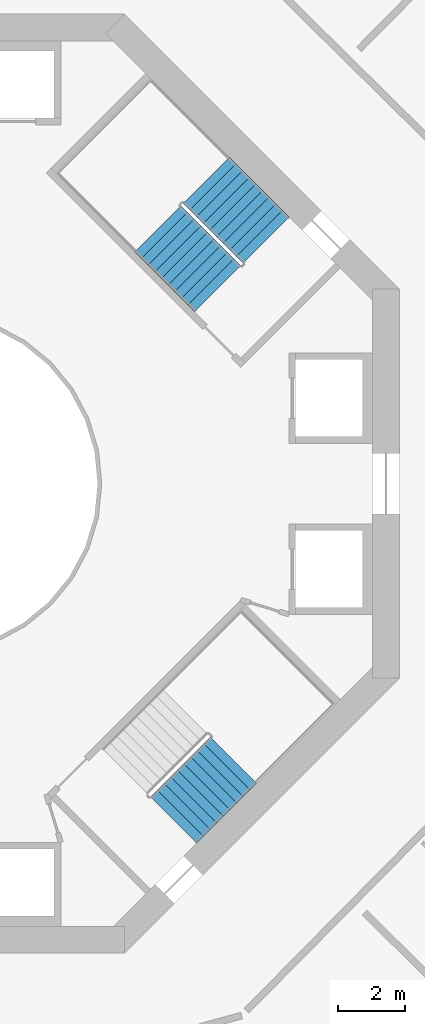
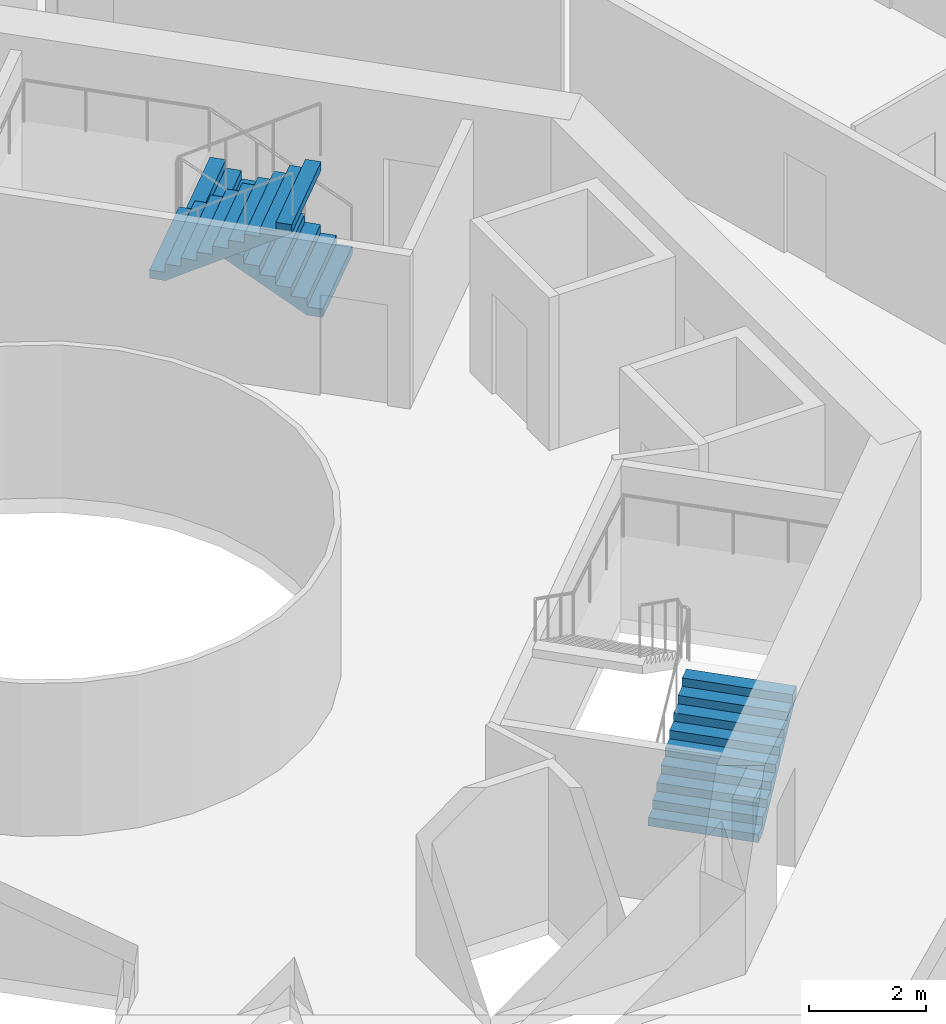
# One storey, part 25 of 26: 3 stair flights, 2 elements without a shape of their own.
"""IFC4 building model written with IfcOpenShell, lengths in metres."""

from ifc_helpers import new_model, si_unit, direction, frame, origin, place, context, subcontext, project, spatial, triangles, material, type_object, element, aggregate, save


model = new_model("IFC4")

# Units and contexts
model_context = context("Model", 3, precision=1e-05, world=origin(), true_north=direction((0.0, 1.0)))
body_context = subcontext(model_context, "Body", "Model", "MODEL_VIEW")
ifc_project = project(units=[si_unit("LENGTHUNIT", "METRE"), si_unit("AREAUNIT", "SQUARE_METRE"), si_unit("VOLUMEUNIT", "CUBIC_METRE"), si_unit("PLANEANGLEUNIT", "RADIAN"), si_unit("MASSUNIT", "GRAM", prefix="KILO")], contexts=[model_context])

# Site, building, storey
site_placement = place(None, origin())
site = spatial("IfcSite", under=ifc_project, at=site_placement, CompositionType="ELEMENT")
building_placement = place(site_placement, origin())
building = spatial("IfcBuilding", under=site, at=building_placement, Name="Verdalira Terraces Hotel", CompositionType="ELEMENT")
storey_placement = place(building_placement, frame((0.0, 0.0, 96.5)))
storey = spatial("IfcBuildingStorey", under=building, at=storey_placement, Name="L22", CompositionType="ELEMENT", Elevation=96.5)

# Stair, stair flights
ifc_material_1 = material(Name="Concrete C40", Category="concrete")
stair_type = type_object("IfcStairType", Name="Core stair 20 risers 1950 mm wide", PredefinedType="HALF_TURN_STAIR", material=ifc_material_1)
stair_1_placement = place(storey_placement, origin())
stair_1 = element("IfcStair", 1, at=stair_1_placement, inside=storey, type_object=stair_type, Name="L22 Exit stair ST1", PredefinedType="HALF_TURN_STAIR")
ifc_material_2 = material(Name="Concrete C40", Category="concrete")
stair_flight_type = type_object("IfcStairFlightType", Name="Core stair flight 20 risers 1950 mm wide", PredefinedType="STRAIGHT", material=ifc_material_2)
stair_flight_1_placement = place(storey_placement, frame((10.023193, 7.265625, 0.0), z_axis=(0.0, 0.0, 1.0), x_axis=(-0.707106781, 0.707106781, 0.0)))
stair_flight_1 = element("IfcStairFlight", 2, at=stair_flight_1_placement, type_object=stair_flight_type, Name="ST1 flight 1", NumberOfRisers=10, NumberOfTreads=9, PredefinedType="STRAIGHT", RiserHeight=0.175, TreadLength=0.28, context=body_context, shape_type="Tessellation", body=[
    triangles([(0.0, 0.974976, 0.0), (0.282715, 0.974976, 0.0), (2.52002, 0.974976, 1.398193), (0.0, -0.974976, 0.0), (0.282715, -0.974976, 0.0), (2.52002, -0.974976, 1.398193), (2.52002, 0.974976, 1.574951), (2.23999, 0.974976, 1.574951), (2.52002, -0.974976, 1.574951), (2.23999, -0.974976, 1.574951), (2.23999, 0.974976, 1.399902), (2.23999, -0.974976, 1.399902), (1.959961, 0.974976, 1.399902), (1.959961, -0.974976, 1.399902), (1.959961, 0.974976, 1.225098), (1.959961, -0.974976, 1.225098), (1.679932, 0.974976, 1.225098), (1.679932, 0.974976, 1.050049), (1.679932, -0.974976, 1.225098), (1.679932, -0.974976, 1.050049), (1.399902, 0.974976, 1.050049), (1.399902, 0.974976, 0.875), (1.399902, -0.974976, 1.050049), (1.399902, -0.974976, 0.875), (1.120117, 0.974976, 0.875), (1.120117, 0.974976, 0.699951), (1.120117, -0.974976, 0.875), (1.120117, -0.974976, 0.699951), (0.840088, 0.974976, 0.699951), (0.840088, 0.974976, 0.524902), (0.840088, -0.974976, 0.699951), (0.840088, -0.974976, 0.524902), (0.560059, 0.974976, 0.524902), (0.560059, 0.974976, 0.350098), (0.560059, -0.974976, 0.524902), (0.560059, -0.974976, 0.350098), (0.280029, 0.974976, 0.350098), (0.280029, 0.974976, 0.175049), (0.280029, -0.974976, 0.350098), (0.280029, -0.974976, 0.175049), (0.0, 0.974976, 0.175049), (0.0, -0.974976, 0.175049), (0.0, -0.91404, 0.0), (0.0, -0.91404, 0.175049), (0.0, -0.853104, 0.0), (0.0, -0.853104, 0.175049), (0.0, -0.792168, 0.0), (0.0, -0.792168, 0.175049), (0.0, -0.731232, 0.0), (0.0, -0.731232, 0.175049), (0.0, -0.670296, 0.0), (0.0, -0.670296, 0.175049), (0.0, -0.60936, 0.0), (0.0, -0.60936, 0.175049), (0.0, -0.548424, 0.0), (0.0, -0.548424, 0.175049), (0.0, -0.487488, 0.0), (0.0, -0.487488, 0.175049), (0.0, -0.426552, 0.0), (0.0, -0.426552, 0.175049), (0.0, -0.365616, 0.0), (0.0, -0.365616, 0.175049), (0.0, -0.30468, 0.0), (0.0, -0.30468, 0.175049), (0.0, -0.243744, 0.0), (0.0, -0.243744, 0.175049), (0.0, -0.182808, 0.0), (0.0, -0.182808, 0.175049), (0.0, -0.121872, 0.0), (0.0, -0.121872, 0.175049), (0.0, -0.060936, 0.0), (0.0, -0.060936, 0.175049), (0.0, 0.0, 0.0), (0.0, 0.0, 0.175049), (0.0, 0.060936, 0.0), (0.0, 0.060936, 0.175049), (0.0, 0.121872, 0.0), (0.0, 0.121872, 0.175049), (0.0, 0.182808, 0.0), (0.0, 0.182808, 0.175049), (0.0, 0.243744, 0.0), (0.0, 0.243744, 0.175049), (0.0, 0.30468, 0.0), (0.0, 0.30468, 0.175049), (0.0, 0.365616, 0.0), (0.0, 0.365616, 0.175049), (0.0, 0.426552, 0.0), (0.0, 0.426552, 0.175049), (0.0, 0.487488, 0.0), (0.0, 0.487488, 0.175049), (0.0, 0.548424, 0.0), (0.0, 0.548424, 0.175049), (0.0, 0.60936, 0.0), (0.0, 0.60936, 0.175049), (0.0, 0.670296, 0.0), (0.0, 0.670296, 0.175049), (0.0, 0.731232, 0.0), (0.0, 0.731232, 0.175049), (0.0, 0.792168, 0.0), (0.0, 0.792168, 0.175049), (0.0, 0.853104, 0.0), (0.0, 0.853104, 0.175049), (0.0, 0.91404, 0.0), (0.0, 0.91404, 0.175049), (2.52002, -0.91404, 1.574951), (2.52002, -0.853104, 1.574951), (2.52002, -0.792168, 1.574951), (2.52002, -0.731232, 1.574951), (2.52002, -0.670296, 1.574951), (2.52002, -0.60936, 1.574951), (2.52002, -0.548424, 1.574951), (2.52002, -0.487488, 1.574951), (2.52002, -0.426552, 1.574951), (2.52002, -0.365616, 1.574951), (2.52002, -0.30468, 1.574951), (2.52002, -0.243744, 1.574951), (2.52002, -0.182808, 1.574951), (2.52002, -0.121872, 1.574951), (2.52002, -0.060936, 1.574951), (2.52002, 0.0, 1.574951), (2.52002, 0.060936, 1.574951), (2.52002, 0.121872, 1.574951), (2.52002, 0.182808, 1.574951), (2.52002, 0.243744, 1.574951), (2.52002, 0.30468, 1.574951), (2.52002, 0.365616, 1.574951), (2.52002, 0.426552, 1.574951), (2.52002, 0.487488, 1.574951), (2.52002, 0.548424, 1.574951), (2.52002, 0.60936, 1.574951), (2.52002, 0.670296, 1.574951), (2.52002, 0.731232, 1.574951), (2.52002, 0.792168, 1.574951), (2.52002, 0.853104, 1.574951), (2.52002, 0.91404, 1.574951), (2.52002, -0.91404, 1.398193), (2.52002, -0.853104, 1.398193), (2.52002, -0.792168, 1.398193), (2.52002, -0.731232, 1.398193), (2.52002, -0.670296, 1.398193), (2.52002, -0.60936, 1.398193), (2.52002, -0.548424, 1.398193), (2.52002, -0.487488, 1.398193), (2.52002, -0.426552, 1.398193), (2.52002, -0.365616, 1.398193), (2.52002, -0.30468, 1.398193), (2.52002, -0.243744, 1.398193), (2.52002, -0.182808, 1.398193), (2.52002, -0.121872, 1.398193), (2.52002, -0.060936, 1.398193), (2.52002, 0.0, 1.398193), (2.52002, 0.060936, 1.398193), (2.52002, 0.121872, 1.398193), (2.52002, 0.182808, 1.398193), (2.52002, 0.243744, 1.398193), (2.52002, 0.30468, 1.398193), (2.52002, 0.365616, 1.398193), (2.52002, 0.426552, 1.398193), (2.52002, 0.487488, 1.398193), (2.52002, 0.548424, 1.398193), (2.52002, 0.60936, 1.398193), (2.52002, 0.670296, 1.398193), (2.52002, 0.731232, 1.398193), (2.52002, 0.792168, 1.398193), (2.52002, 0.853104, 1.398193), (2.52002, 0.91404, 1.398193)], [[1, 3, 2], [4, 5, 6], [3, 8, 7], [6, 9, 10], [3, 11, 8], [6, 10, 12], [3, 13, 11], [6, 12, 14], [3, 15, 13], [6, 14, 16], [15, 18, 17], [16, 19, 20], [3, 18, 15], [6, 16, 20], [18, 22, 21], [20, 23, 24], [3, 22, 18], [6, 20, 24], [22, 26, 25], [24, 27, 28], [3, 26, 22], [6, 24, 28], [26, 30, 29], [28, 31, 32], [3, 30, 26], [6, 28, 32], [1, 30, 3], [4, 6, 32], [30, 34, 33], [32, 35, 36], [34, 38, 37], [36, 39, 40], [30, 38, 34], [32, 36, 40], [1, 38, 30], [4, 32, 40], [38, 1, 41], [40, 42, 4], [4, 44, 43], [4, 42, 44], [43, 46, 45], [43, 44, 46], [45, 48, 47], [45, 46, 48], [47, 50, 49], [47, 48, 50], [49, 52, 51], [49, 50, 52], [51, 54, 53], [51, 52, 54], [53, 56, 55], [53, 54, 56], [55, 58, 57], [55, 56, 58], [57, 60, 59], [57, 58, 60], [59, 62, 61], [59, 60, 62], [61, 64, 63], [61, 62, 64], [63, 66, 65], [63, 64, 66], [65, 68, 67], [65, 66, 68], [67, 70, 69], [67, 68, 70], [69, 72, 71], [69, 70, 72], [71, 74, 73], [71, 72, 74], [73, 76, 75], [73, 74, 76], [75, 78, 77], [75, 76, 78], [77, 80, 79], [77, 78, 80], [79, 82, 81], [79, 80, 82], [81, 84, 83], [81, 82, 84], [83, 86, 85], [83, 84, 86], [85, 88, 87], [85, 86, 88], [87, 90, 89], [87, 88, 90], [89, 92, 91], [89, 90, 92], [91, 94, 93], [91, 92, 94], [93, 96, 95], [93, 94, 96], [95, 98, 97], [95, 96, 98], [97, 100, 99], [97, 98, 100], [99, 102, 101], [99, 100, 102], [101, 104, 103], [101, 102, 104], [103, 41, 1], [103, 104, 41], [42, 40, 44], [44, 40, 46], [46, 40, 48], [48, 40, 50], [50, 40, 52], [52, 40, 54], [54, 40, 56], [56, 40, 58], [58, 40, 60], [60, 40, 62], [62, 40, 64], [64, 40, 66], [66, 40, 68], [68, 40, 70], [70, 40, 72], [72, 40, 74], [74, 40, 76], [76, 40, 78], [78, 40, 80], [80, 40, 82], [82, 40, 84], [84, 40, 86], [86, 40, 88], [88, 40, 90], [90, 40, 92], [92, 40, 94], [94, 40, 96], [96, 40, 98], [98, 40, 100], [100, 40, 102], [102, 40, 104], [104, 40, 41], [41, 40, 38], [40, 37, 38], [40, 39, 37], [39, 34, 37], [39, 36, 34], [36, 33, 34], [36, 35, 33], [35, 30, 33], [35, 32, 30], [32, 29, 30], [32, 31, 29], [31, 26, 29], [31, 28, 26], [28, 25, 26], [28, 27, 25], [27, 22, 25], [27, 24, 22], [24, 21, 22], [24, 23, 21], [23, 18, 21], [23, 20, 18], [20, 17, 18], [20, 19, 17], [19, 15, 17], [19, 16, 15], [16, 13, 15], [16, 14, 13], [14, 11, 13], [14, 12, 11], [12, 8, 11], [12, 10, 8], [9, 105, 10], [105, 106, 10], [106, 107, 10], [107, 108, 10], [108, 109, 10], [109, 110, 10], [110, 111, 10], [111, 112, 10], [112, 113, 10], [113, 114, 10], [114, 115, 10], [115, 116, 10], [116, 117, 10], [117, 118, 10], [118, 119, 10], [119, 120, 10], [120, 121, 10], [121, 122, 10], [122, 123, 10], [123, 124, 10], [124, 125, 10], [125, 126, 10], [126, 127, 10], [127, 128, 10], [128, 129, 10], [129, 130, 10], [130, 131, 10], [131, 132, 10], [132, 133, 10], [133, 134, 10], [134, 135, 10], [135, 7, 10], [7, 8, 10], [9, 136, 105], [9, 6, 136], [105, 137, 106], [105, 136, 137], [106, 138, 107], [106, 137, 138], [107, 139, 108], [107, 138, 139], [108, 140, 109], [108, 139, 140], [109, 141, 110], [109, 140, 141], [110, 142, 111], [110, 141, 142], [111, 143, 112], [111, 142, 143], [112, 144, 113], [112, 143, 144], [113, 145, 114], [113, 144, 145], [114, 146, 115], [114, 145, 146], [115, 147, 116], [115, 146, 147], [116, 148, 117], [116, 147, 148], [117, 149, 118], [117, 148, 149], [118, 150, 119], [118, 149, 150], [119, 151, 120], [119, 150, 151], [120, 152, 121], [120, 151, 152], [121, 153, 122], [121, 152, 153], [122, 154, 123], [122, 153, 154], [123, 155, 124], [123, 154, 155], [124, 156, 125], [124, 155, 156], [125, 157, 126], [125, 156, 157], [126, 158, 127], [126, 157, 158], [127, 159, 128], [127, 158, 159], [128, 160, 129], [128, 159, 160], [129, 161, 130], [129, 160, 161], [130, 162, 131], [130, 161, 162], [131, 163, 132], [131, 162, 163], [132, 164, 133], [132, 163, 164], [133, 165, 134], [133, 164, 165], [134, 166, 135], [134, 165, 166], [135, 3, 7], [135, 166, 3], [6, 5, 136], [136, 5, 137], [137, 5, 138], [138, 5, 139], [139, 5, 140], [140, 5, 141], [141, 5, 142], [142, 5, 143], [143, 5, 144], [144, 5, 145], [145, 5, 146], [146, 5, 147], [147, 5, 148], [148, 5, 149], [149, 5, 150], [150, 5, 151], [151, 5, 152], [152, 5, 153], [153, 5, 154], [154, 5, 155], [155, 5, 156], [156, 5, 157], [157, 5, 158], [158, 5, 159], [159, 5, 160], [160, 5, 161], [161, 5, 162], [162, 5, 163], [163, 5, 164], [164, 5, 165], [165, 5, 166], [166, 5, 3], [3, 5, 2], [4, 43, 5], [43, 45, 5], [45, 47, 5], [47, 49, 5], [49, 51, 5], [51, 53, 5], [53, 55, 5], [55, 57, 5], [57, 59, 5], [59, 61, 5], [61, 63, 5], [63, 65, 5], [65, 67, 5], [67, 69, 5], [69, 71, 5], [71, 73, 5], [73, 75, 5], [75, 77, 5], [77, 79, 5], [79, 81, 5], [81, 83, 5], [83, 85, 5], [85, 87, 5], [87, 89, 5], [89, 91, 5], [91, 93, 5], [93, 95, 5], [95, 97, 5], [97, 99, 5], [99, 101, 5], [101, 103, 5], [103, 1, 5], [1, 2, 5]], closed=True),
])
stair_flight_2_placement = place(storey_placement, frame((6.791748, 7.5979, 1.75), z_axis=(0.0, 0.0, 1.0), x_axis=(0.707106781, -0.707106781, 0.0)))
stair_flight_2 = element("IfcStairFlight", 3, at=stair_flight_2_placement, type_object=stair_flight_type, Name="ST1 flight 2", NumberOfRisers=10, NumberOfTreads=9, PredefinedType="STRAIGHT", RiserHeight=0.175, TreadLength=0.28, context=body_context, shape_type="Tessellation", body=[
    triangles([(0.0, 0.974976, 0.0), (0.282715, 0.974976, 0.0), (2.52002, 0.974976, 1.398193), (0.0, -0.974976, 0.0), (0.282715, -0.974976, 0.0), (2.52002, -0.974976, 1.398193), (2.52002, 0.974976, 1.574951), (2.23999, 0.974976, 1.574951), (2.52002, -0.974976, 1.574951), (2.23999, -0.974976, 1.574951), (2.23999, 0.974976, 1.399902), (2.23999, -0.974976, 1.399902), (1.959961, 0.974976, 1.399902), (1.959961, -0.974976, 1.399902), (1.959961, 0.974976, 1.225098), (1.959961, -0.974976, 1.225098), (1.679932, 0.974976, 1.225098), (1.679932, 0.974976, 1.050049), (1.679932, -0.974976, 1.225098), (1.679932, -0.974976, 1.050049), (1.399902, 0.974976, 1.050049), (1.399902, 0.974976, 0.875), (1.399902, -0.974976, 1.050049), (1.399902, -0.974976, 0.875), (1.120117, 0.974976, 0.875), (1.120117, 0.974976, 0.699951), (1.120117, -0.974976, 0.875), (1.120117, -0.974976, 0.699951), (0.840088, 0.974976, 0.699951), (0.840088, 0.974976, 0.524902), (0.840088, -0.974976, 0.699951), (0.840088, -0.974976, 0.524902), (0.560059, 0.974976, 0.524902), (0.560059, 0.974976, 0.350098), (0.560059, -0.974976, 0.524902), (0.560059, -0.974976, 0.350098), (0.280029, 0.974976, 0.350098), (0.280029, 0.974976, 0.175049), (0.280029, -0.974976, 0.350098), (0.280029, -0.974976, 0.175049), (0.0, 0.974976, 0.175049), (0.0, -0.974976, 0.175049), (0.0, -0.91404, 0.0), (0.0, -0.91404, 0.175049), (0.0, -0.853104, 0.0), (0.0, -0.853104, 0.175049), (0.0, -0.792168, 0.0), (0.0, -0.792168, 0.175049), (0.0, -0.731232, 0.0), (0.0, -0.731232, 0.175049), (0.0, -0.670296, 0.0), (0.0, -0.670296, 0.175049), (0.0, -0.60936, 0.0), (0.0, -0.60936, 0.175049), (0.0, -0.548424, 0.0), (0.0, -0.548424, 0.175049), (0.0, -0.487488, 0.0), (0.0, -0.487488, 0.175049), (0.0, -0.426552, 0.0), (0.0, -0.426552, 0.175049), (0.0, -0.365616, 0.0), (0.0, -0.365616, 0.175049), (0.0, -0.30468, 0.0), (0.0, -0.30468, 0.175049), (0.0, -0.243744, 0.0), (0.0, -0.243744, 0.175049), (0.0, -0.182808, 0.0), (0.0, -0.182808, 0.175049), (0.0, -0.121872, 0.0), (0.0, -0.121872, 0.175049), (0.0, -0.060936, 0.0), (0.0, -0.060936, 0.175049), (0.0, 0.0, 0.0), (0.0, 0.0, 0.175049), (0.0, 0.060936, 0.0), (0.0, 0.060936, 0.175049), (0.0, 0.121872, 0.0), (0.0, 0.121872, 0.175049), (0.0, 0.182808, 0.0), (0.0, 0.182808, 0.175049), (0.0, 0.243744, 0.0), (0.0, 0.243744, 0.175049), (0.0, 0.30468, 0.0), (0.0, 0.30468, 0.175049), (0.0, 0.365616, 0.0), (0.0, 0.365616, 0.175049), (0.0, 0.426552, 0.0), (0.0, 0.426552, 0.175049), (0.0, 0.487488, 0.0), (0.0, 0.487488, 0.175049), (0.0, 0.548424, 0.0), (0.0, 0.548424, 0.175049), (0.0, 0.60936, 0.0), (0.0, 0.60936, 0.175049), (0.0, 0.670296, 0.0), (0.0, 0.670296, 0.175049), (0.0, 0.731232, 0.0), (0.0, 0.731232, 0.175049), (0.0, 0.792168, 0.0), (0.0, 0.792168, 0.175049), (0.0, 0.853104, 0.0), (0.0, 0.853104, 0.175049), (0.0, 0.91404, 0.0), (0.0, 0.91404, 0.175049), (2.52002, -0.91404, 1.574951), (2.52002, -0.853104, 1.574951), (2.52002, -0.792168, 1.574951), (2.52002, -0.731232, 1.574951), (2.52002, -0.670296, 1.574951), (2.52002, -0.60936, 1.574951), (2.52002, -0.548424, 1.574951), (2.52002, -0.487488, 1.574951), (2.52002, -0.426552, 1.574951), (2.52002, -0.365616, 1.574951), (2.52002, -0.30468, 1.574951), (2.52002, -0.243744, 1.574951), (2.52002, -0.182808, 1.574951), (2.52002, -0.121872, 1.574951), (2.52002, -0.060936, 1.574951), (2.52002, 0.0, 1.574951), (2.52002, 0.060936, 1.574951), (2.52002, 0.121872, 1.574951), (2.52002, 0.182808, 1.574951), (2.52002, 0.243744, 1.574951), (2.52002, 0.30468, 1.574951), (2.52002, 0.365616, 1.574951), (2.52002, 0.426552, 1.574951), (2.52002, 0.487488, 1.574951), (2.52002, 0.548424, 1.574951), (2.52002, 0.60936, 1.574951), (2.52002, 0.670296, 1.574951), (2.52002, 0.731232, 1.574951), (2.52002, 0.792168, 1.574951), (2.52002, 0.853104, 1.574951), (2.52002, 0.91404, 1.574951), (2.52002, -0.91404, 1.398193), (2.52002, -0.853104, 1.398193), (2.52002, -0.792168, 1.398193), (2.52002, -0.731232, 1.398193), (2.52002, -0.670296, 1.398193), (2.52002, -0.60936, 1.398193), (2.52002, -0.548424, 1.398193), (2.52002, -0.487488, 1.398193), (2.52002, -0.426552, 1.398193), (2.52002, -0.365616, 1.398193), (2.52002, -0.30468, 1.398193), (2.52002, -0.243744, 1.398193), (2.52002, -0.182808, 1.398193), (2.52002, -0.121872, 1.398193), (2.52002, -0.060936, 1.398193), (2.52002, 0.0, 1.398193), (2.52002, 0.060936, 1.398193), (2.52002, 0.121872, 1.398193), (2.52002, 0.182808, 1.398193), (2.52002, 0.243744, 1.398193), (2.52002, 0.30468, 1.398193), (2.52002, 0.365616, 1.398193), (2.52002, 0.426552, 1.398193), (2.52002, 0.487488, 1.398193), (2.52002, 0.548424, 1.398193), (2.52002, 0.60936, 1.398193), (2.52002, 0.670296, 1.398193), (2.52002, 0.731232, 1.398193), (2.52002, 0.792168, 1.398193), (2.52002, 0.853104, 1.398193), (2.52002, 0.91404, 1.398193)], [[1, 3, 2], [4, 5, 6], [3, 8, 7], [6, 9, 10], [3, 11, 8], [6, 10, 12], [3, 13, 11], [6, 12, 14], [3, 15, 13], [6, 14, 16], [15, 18, 17], [16, 19, 20], [3, 18, 15], [6, 16, 20], [18, 22, 21], [20, 23, 24], [3, 22, 18], [6, 20, 24], [22, 26, 25], [24, 27, 28], [3, 26, 22], [6, 24, 28], [26, 30, 29], [28, 31, 32], [3, 30, 26], [6, 28, 32], [1, 30, 3], [4, 6, 32], [30, 34, 33], [32, 35, 36], [34, 38, 37], [36, 39, 40], [30, 38, 34], [32, 36, 40], [1, 38, 30], [4, 32, 40], [38, 1, 41], [40, 42, 4], [4, 44, 43], [4, 42, 44], [43, 46, 45], [43, 44, 46], [45, 48, 47], [45, 46, 48], [47, 50, 49], [47, 48, 50], [49, 52, 51], [49, 50, 52], [51, 54, 53], [51, 52, 54], [53, 56, 55], [53, 54, 56], [55, 58, 57], [55, 56, 58], [57, 60, 59], [57, 58, 60], [59, 62, 61], [59, 60, 62], [61, 64, 63], [61, 62, 64], [63, 66, 65], [63, 64, 66], [65, 68, 67], [65, 66, 68], [67, 70, 69], [67, 68, 70], [69, 72, 71], [69, 70, 72], [71, 74, 73], [71, 72, 74], [73, 76, 75], [73, 74, 76], [75, 78, 77], [75, 76, 78], [77, 80, 79], [77, 78, 80], [79, 82, 81], [79, 80, 82], [81, 84, 83], [81, 82, 84], [83, 86, 85], [83, 84, 86], [85, 88, 87], [85, 86, 88], [87, 90, 89], [87, 88, 90], [89, 92, 91], [89, 90, 92], [91, 94, 93], [91, 92, 94], [93, 96, 95], [93, 94, 96], [95, 98, 97], [95, 96, 98], [97, 100, 99], [97, 98, 100], [99, 102, 101], [99, 100, 102], [101, 104, 103], [101, 102, 104], [103, 41, 1], [103, 104, 41], [42, 40, 44], [44, 40, 46], [46, 40, 48], [48, 40, 50], [50, 40, 52], [52, 40, 54], [54, 40, 56], [56, 40, 58], [58, 40, 60], [60, 40, 62], [62, 40, 64], [64, 40, 66], [66, 40, 68], [68, 40, 70], [70, 40, 72], [72, 40, 74], [74, 40, 76], [76, 40, 78], [78, 40, 80], [80, 40, 82], [82, 40, 84], [84, 40, 86], [86, 40, 88], [88, 40, 90], [90, 40, 92], [92, 40, 94], [94, 40, 96], [96, 40, 98], [98, 40, 100], [100, 40, 102], [102, 40, 104], [104, 40, 41], [41, 40, 38], [40, 37, 38], [40, 39, 37], [39, 34, 37], [39, 36, 34], [36, 33, 34], [36, 35, 33], [35, 30, 33], [35, 32, 30], [32, 29, 30], [32, 31, 29], [31, 26, 29], [31, 28, 26], [28, 25, 26], [28, 27, 25], [27, 22, 25], [27, 24, 22], [24, 21, 22], [24, 23, 21], [23, 18, 21], [23, 20, 18], [20, 17, 18], [20, 19, 17], [19, 15, 17], [19, 16, 15], [16, 13, 15], [16, 14, 13], [14, 11, 13], [14, 12, 11], [12, 8, 11], [12, 10, 8], [9, 105, 10], [105, 106, 10], [106, 107, 10], [107, 108, 10], [108, 109, 10], [109, 110, 10], [110, 111, 10], [111, 112, 10], [112, 113, 10], [113, 114, 10], [114, 115, 10], [115, 116, 10], [116, 117, 10], [117, 118, 10], [118, 119, 10], [119, 120, 10], [120, 121, 10], [121, 122, 10], [122, 123, 10], [123, 124, 10], [124, 125, 10], [125, 126, 10], [126, 127, 10], [127, 128, 10], [128, 129, 10], [129, 130, 10], [130, 131, 10], [131, 132, 10], [132, 133, 10], [133, 134, 10], [134, 135, 10], [135, 7, 10], [7, 8, 10], [9, 136, 105], [9, 6, 136], [105, 137, 106], [105, 136, 137], [106, 138, 107], [106, 137, 138], [107, 139, 108], [107, 138, 139], [108, 140, 109], [108, 139, 140], [109, 141, 110], [109, 140, 141], [110, 142, 111], [110, 141, 142], [111, 143, 112], [111, 142, 143], [112, 144, 113], [112, 143, 144], [113, 145, 114], [113, 144, 145], [114, 146, 115], [114, 145, 146], [115, 147, 116], [115, 146, 147], [116, 148, 117], [116, 147, 148], [117, 149, 118], [117, 148, 149], [118, 150, 119], [118, 149, 150], [119, 151, 120], [119, 150, 151], [120, 152, 121], [120, 151, 152], [121, 153, 122], [121, 152, 153], [122, 154, 123], [122, 153, 154], [123, 155, 124], [123, 154, 155], [124, 156, 125], [124, 155, 156], [125, 157, 126], [125, 156, 157], [126, 158, 127], [126, 157, 158], [127, 159, 128], [127, 158, 159], [128, 160, 129], [128, 159, 160], [129, 161, 130], [129, 160, 161], [130, 162, 131], [130, 161, 162], [131, 163, 132], [131, 162, 163], [132, 164, 133], [132, 163, 164], [133, 165, 134], [133, 164, 165], [134, 166, 135], [134, 165, 166], [135, 3, 7], [135, 166, 3], [6, 5, 136], [136, 5, 137], [137, 5, 138], [138, 5, 139], [139, 5, 140], [140, 5, 141], [141, 5, 142], [142, 5, 143], [143, 5, 144], [144, 5, 145], [145, 5, 146], [146, 5, 147], [147, 5, 148], [148, 5, 149], [149, 5, 150], [150, 5, 151], [151, 5, 152], [152, 5, 153], [153, 5, 154], [154, 5, 155], [155, 5, 156], [156, 5, 157], [157, 5, 158], [158, 5, 159], [159, 5, 160], [160, 5, 161], [161, 5, 162], [162, 5, 163], [163, 5, 164], [164, 5, 165], [165, 5, 166], [166, 5, 3], [3, 5, 2], [4, 43, 5], [43, 45, 5], [45, 47, 5], [47, 49, 5], [49, 51, 5], [51, 53, 5], [53, 55, 5], [55, 57, 5], [57, 59, 5], [59, 61, 5], [61, 63, 5], [63, 65, 5], [65, 67, 5], [67, 69, 5], [69, 71, 5], [71, 73, 5], [73, 75, 5], [75, 77, 5], [77, 79, 5], [79, 81, 5], [81, 83, 5], [83, 85, 5], [85, 87, 5], [87, 89, 5], [89, 91, 5], [91, 93, 5], [93, 95, 5], [95, 97, 5], [97, 99, 5], [99, 101, 5], [101, 103, 5], [103, 1, 5], [1, 2, 5]], closed=True),
])
aggregate(stair_1, [stair_flight_1, stair_flight_2])

# Stair, stair flight
stair_2_placement = place(storey_placement, origin())
stair_2 = element("IfcStair", 4, at=stair_2_placement, inside=storey, type_object=stair_type, Name="L22 Exit stair ST3", PredefinedType="HALF_TURN_STAIR")
stair_flight_3_placement = place(storey_placement, frame((7.265625, -10.023193, 0.0), z_axis=(0.0, 0.0, 1.0), x_axis=(0.707106781, 0.707106781, 0.0)))
stair_flight_3 = element("IfcStairFlight", 5, at=stair_flight_3_placement, type_object=stair_flight_type, Name="ST3 flight 1", NumberOfRisers=10, NumberOfTreads=9, PredefinedType="STRAIGHT", RiserHeight=0.175, TreadLength=0.28, context=body_context, shape_type="Tessellation", body=[
    triangles([(0.0, 0.974976, 0.0), (0.282715, 0.974976, 0.0), (2.52002, 0.974976, 1.398193), (0.0, -0.974976, 0.0), (0.282715, -0.974976, 0.0), (2.52002, -0.974976, 1.398193), (2.52002, 0.974976, 1.574951), (2.23999, 0.974976, 1.574951), (2.52002, -0.974976, 1.574951), (2.23999, -0.974976, 1.574951), (2.23999, 0.974976, 1.399902), (2.23999, -0.974976, 1.399902), (1.959961, 0.974976, 1.399902), (1.959961, -0.974976, 1.399902), (1.959961, 0.974976, 1.225098), (1.959961, -0.974976, 1.225098), (1.679932, 0.974976, 1.225098), (1.679932, 0.974976, 1.050049), (1.679932, -0.974976, 1.225098), (1.679932, -0.974976, 1.050049), (1.399902, 0.974976, 1.050049), (1.399902, 0.974976, 0.875), (1.399902, -0.974976, 1.050049), (1.399902, -0.974976, 0.875), (1.120117, 0.974976, 0.875), (1.120117, 0.974976, 0.699951), (1.120117, -0.974976, 0.875), (1.120117, -0.974976, 0.699951), (0.840088, 0.974976, 0.699951), (0.840088, 0.974976, 0.524902), (0.840088, -0.974976, 0.699951), (0.840088, -0.974976, 0.524902), (0.560059, 0.974976, 0.524902), (0.560059, 0.974976, 0.350098), (0.560059, -0.974976, 0.524902), (0.560059, -0.974976, 0.350098), (0.280029, 0.974976, 0.350098), (0.280029, 0.974976, 0.175049), (0.280029, -0.974976, 0.350098), (0.280029, -0.974976, 0.175049), (0.0, 0.974976, 0.175049), (0.0, -0.974976, 0.175049), (0.0, -0.91404, 0.0), (0.0, -0.91404, 0.175049), (0.0, -0.853104, 0.0), (0.0, -0.853104, 0.175049), (0.0, -0.792168, 0.0), (0.0, -0.792168, 0.175049), (0.0, -0.731232, 0.0), (0.0, -0.731232, 0.175049), (0.0, -0.670296, 0.0), (0.0, -0.670296, 0.175049), (0.0, -0.60936, 0.0), (0.0, -0.60936, 0.175049), (0.0, -0.548424, 0.0), (0.0, -0.548424, 0.175049), (0.0, -0.487488, 0.0), (0.0, -0.487488, 0.175049), (0.0, -0.426552, 0.0), (0.0, -0.426552, 0.175049), (0.0, -0.365616, 0.0), (0.0, -0.365616, 0.175049), (0.0, -0.30468, 0.0), (0.0, -0.30468, 0.175049), (0.0, -0.243744, 0.0), (0.0, -0.243744, 0.175049), (0.0, -0.182808, 0.0), (0.0, -0.182808, 0.175049), (0.0, -0.121872, 0.0), (0.0, -0.121872, 0.175049), (0.0, -0.060936, 0.0), (0.0, -0.060936, 0.175049), (0.0, 0.0, 0.0), (0.0, 0.0, 0.175049), (0.0, 0.060936, 0.0), (0.0, 0.060936, 0.175049), (0.0, 0.121872, 0.0), (0.0, 0.121872, 0.175049), (0.0, 0.182808, 0.0), (0.0, 0.182808, 0.175049), (0.0, 0.243744, 0.0), (0.0, 0.243744, 0.175049), (0.0, 0.30468, 0.0), (0.0, 0.30468, 0.175049), (0.0, 0.365616, 0.0), (0.0, 0.365616, 0.175049), (0.0, 0.426552, 0.0), (0.0, 0.426552, 0.175049), (0.0, 0.487488, 0.0), (0.0, 0.487488, 0.175049), (0.0, 0.548424, 0.0), (0.0, 0.548424, 0.175049), (0.0, 0.60936, 0.0), (0.0, 0.60936, 0.175049), (0.0, 0.670296, 0.0), (0.0, 0.670296, 0.175049), (0.0, 0.731232, 0.0), (0.0, 0.731232, 0.175049), (0.0, 0.792168, 0.0), (0.0, 0.792168, 0.175049), (0.0, 0.853104, 0.0), (0.0, 0.853104, 0.175049), (0.0, 0.91404, 0.0), (0.0, 0.91404, 0.175049), (2.52002, -0.91404, 1.574951), (2.52002, -0.853104, 1.574951), (2.52002, -0.792168, 1.574951), (2.52002, -0.731232, 1.574951), (2.52002, -0.670296, 1.574951), (2.52002, -0.60936, 1.574951), (2.52002, -0.548424, 1.574951), (2.52002, -0.487488, 1.574951), (2.52002, -0.426552, 1.574951), (2.52002, -0.365616, 1.574951), (2.52002, -0.30468, 1.574951), (2.52002, -0.243744, 1.574951), (2.52002, -0.182808, 1.574951), (2.52002, -0.121872, 1.574951), (2.52002, -0.060936, 1.574951), (2.52002, 0.0, 1.574951), (2.52002, 0.060936, 1.574951), (2.52002, 0.121872, 1.574951), (2.52002, 0.182808, 1.574951), (2.52002, 0.243744, 1.574951), (2.52002, 0.30468, 1.574951), (2.52002, 0.365616, 1.574951), (2.52002, 0.426552, 1.574951), (2.52002, 0.487488, 1.574951), (2.52002, 0.548424, 1.574951), (2.52002, 0.60936, 1.574951), (2.52002, 0.670296, 1.574951), (2.52002, 0.731232, 1.574951), (2.52002, 0.792168, 1.574951), (2.52002, 0.853104, 1.574951), (2.52002, 0.91404, 1.574951), (2.52002, -0.91404, 1.398193), (2.52002, -0.853104, 1.398193), (2.52002, -0.792168, 1.398193), (2.52002, -0.731232, 1.398193), (2.52002, -0.670296, 1.398193), (2.52002, -0.60936, 1.398193), (2.52002, -0.548424, 1.398193), (2.52002, -0.487488, 1.398193), (2.52002, -0.426552, 1.398193), (2.52002, -0.365616, 1.398193), (2.52002, -0.30468, 1.398193), (2.52002, -0.243744, 1.398193), (2.52002, -0.182808, 1.398193), (2.52002, -0.121872, 1.398193), (2.52002, -0.060936, 1.398193), (2.52002, 0.0, 1.398193), (2.52002, 0.060936, 1.398193), (2.52002, 0.121872, 1.398193), (2.52002, 0.182808, 1.398193), (2.52002, 0.243744, 1.398193), (2.52002, 0.30468, 1.398193), (2.52002, 0.365616, 1.398193), (2.52002, 0.426552, 1.398193), (2.52002, 0.487488, 1.398193), (2.52002, 0.548424, 1.398193), (2.52002, 0.60936, 1.398193), (2.52002, 0.670296, 1.398193), (2.52002, 0.731232, 1.398193), (2.52002, 0.792168, 1.398193), (2.52002, 0.853104, 1.398193), (2.52002, 0.91404, 1.398193)], [[1, 3, 2], [4, 5, 6], [3, 8, 7], [6, 9, 10], [3, 11, 8], [6, 10, 12], [3, 13, 11], [6, 12, 14], [3, 15, 13], [6, 14, 16], [15, 18, 17], [16, 19, 20], [3, 18, 15], [6, 16, 20], [18, 22, 21], [20, 23, 24], [3, 22, 18], [6, 20, 24], [22, 26, 25], [24, 27, 28], [3, 26, 22], [6, 24, 28], [26, 30, 29], [28, 31, 32], [3, 30, 26], [6, 28, 32], [1, 30, 3], [4, 6, 32], [30, 34, 33], [32, 35, 36], [34, 38, 37], [36, 39, 40], [30, 38, 34], [32, 36, 40], [1, 38, 30], [4, 32, 40], [38, 1, 41], [40, 42, 4], [4, 44, 43], [4, 42, 44], [43, 46, 45], [43, 44, 46], [45, 48, 47], [45, 46, 48], [47, 50, 49], [47, 48, 50], [49, 52, 51], [49, 50, 52], [51, 54, 53], [51, 52, 54], [53, 56, 55], [53, 54, 56], [55, 58, 57], [55, 56, 58], [57, 60, 59], [57, 58, 60], [59, 62, 61], [59, 60, 62], [61, 64, 63], [61, 62, 64], [63, 66, 65], [63, 64, 66], [65, 68, 67], [65, 66, 68], [67, 70, 69], [67, 68, 70], [69, 72, 71], [69, 70, 72], [71, 74, 73], [71, 72, 74], [73, 76, 75], [73, 74, 76], [75, 78, 77], [75, 76, 78], [77, 80, 79], [77, 78, 80], [79, 82, 81], [79, 80, 82], [81, 84, 83], [81, 82, 84], [83, 86, 85], [83, 84, 86], [85, 88, 87], [85, 86, 88], [87, 90, 89], [87, 88, 90], [89, 92, 91], [89, 90, 92], [91, 94, 93], [91, 92, 94], [93, 96, 95], [93, 94, 96], [95, 98, 97], [95, 96, 98], [97, 100, 99], [97, 98, 100], [99, 102, 101], [99, 100, 102], [101, 104, 103], [101, 102, 104], [103, 41, 1], [103, 104, 41], [42, 40, 44], [44, 40, 46], [46, 40, 48], [48, 40, 50], [50, 40, 52], [52, 40, 54], [54, 40, 56], [56, 40, 58], [58, 40, 60], [60, 40, 62], [62, 40, 64], [64, 40, 66], [66, 40, 68], [68, 40, 70], [70, 40, 72], [72, 40, 74], [74, 40, 76], [76, 40, 78], [78, 40, 80], [80, 40, 82], [82, 40, 84], [84, 40, 86], [86, 40, 88], [88, 40, 90], [90, 40, 92], [92, 40, 94], [94, 40, 96], [96, 40, 98], [98, 40, 100], [100, 40, 102], [102, 40, 104], [104, 40, 41], [41, 40, 38], [40, 37, 38], [40, 39, 37], [39, 34, 37], [39, 36, 34], [36, 33, 34], [36, 35, 33], [35, 30, 33], [35, 32, 30], [32, 29, 30], [32, 31, 29], [31, 26, 29], [31, 28, 26], [28, 25, 26], [28, 27, 25], [27, 22, 25], [27, 24, 22], [24, 21, 22], [24, 23, 21], [23, 18, 21], [23, 20, 18], [20, 17, 18], [20, 19, 17], [19, 15, 17], [19, 16, 15], [16, 13, 15], [16, 14, 13], [14, 11, 13], [14, 12, 11], [12, 8, 11], [12, 10, 8], [9, 105, 10], [105, 106, 10], [106, 107, 10], [107, 108, 10], [108, 109, 10], [109, 110, 10], [110, 111, 10], [111, 112, 10], [112, 113, 10], [113, 114, 10], [114, 115, 10], [115, 116, 10], [116, 117, 10], [117, 118, 10], [118, 119, 10], [119, 120, 10], [120, 121, 10], [121, 122, 10], [122, 123, 10], [123, 124, 10], [124, 125, 10], [125, 126, 10], [126, 127, 10], [127, 128, 10], [128, 129, 10], [129, 130, 10], [130, 131, 10], [131, 132, 10], [132, 133, 10], [133, 134, 10], [134, 135, 10], [135, 7, 10], [7, 8, 10], [9, 136, 105], [9, 6, 136], [105, 137, 106], [105, 136, 137], [106, 138, 107], [106, 137, 138], [107, 139, 108], [107, 138, 139], [108, 140, 109], [108, 139, 140], [109, 141, 110], [109, 140, 141], [110, 142, 111], [110, 141, 142], [111, 143, 112], [111, 142, 143], [112, 144, 113], [112, 143, 144], [113, 145, 114], [113, 144, 145], [114, 146, 115], [114, 145, 146], [115, 147, 116], [115, 146, 147], [116, 148, 117], [116, 147, 148], [117, 149, 118], [117, 148, 149], [118, 150, 119], [118, 149, 150], [119, 151, 120], [119, 150, 151], [120, 152, 121], [120, 151, 152], [121, 153, 122], [121, 152, 153], [122, 154, 123], [122, 153, 154], [123, 155, 124], [123, 154, 155], [124, 156, 125], [124, 155, 156], [125, 157, 126], [125, 156, 157], [126, 158, 127], [126, 157, 158], [127, 159, 128], [127, 158, 159], [128, 160, 129], [128, 159, 160], [129, 161, 130], [129, 160, 161], [130, 162, 131], [130, 161, 162], [131, 163, 132], [131, 162, 163], [132, 164, 133], [132, 163, 164], [133, 165, 134], [133, 164, 165], [134, 166, 135], [134, 165, 166], [135, 3, 7], [135, 166, 3], [6, 5, 136], [136, 5, 137], [137, 5, 138], [138, 5, 139], [139, 5, 140], [140, 5, 141], [141, 5, 142], [142, 5, 143], [143, 5, 144], [144, 5, 145], [145, 5, 146], [146, 5, 147], [147, 5, 148], [148, 5, 149], [149, 5, 150], [150, 5, 151], [151, 5, 152], [152, 5, 153], [153, 5, 154], [154, 5, 155], [155, 5, 156], [156, 5, 157], [157, 5, 158], [158, 5, 159], [159, 5, 160], [160, 5, 161], [161, 5, 162], [162, 5, 163], [163, 5, 164], [164, 5, 165], [165, 5, 166], [166, 5, 3], [3, 5, 2], [4, 43, 5], [43, 45, 5], [45, 47, 5], [47, 49, 5], [49, 51, 5], [51, 53, 5], [53, 55, 5], [55, 57, 5], [57, 59, 5], [59, 61, 5], [61, 63, 5], [63, 65, 5], [65, 67, 5], [67, 69, 5], [69, 71, 5], [71, 73, 5], [73, 75, 5], [75, 77, 5], [77, 79, 5], [79, 81, 5], [81, 83, 5], [83, 85, 5], [85, 87, 5], [87, 89, 5], [89, 91, 5], [91, 93, 5], [93, 95, 5], [95, 97, 5], [97, 99, 5], [99, 101, 5], [101, 103, 5], [103, 1, 5], [1, 2, 5]], closed=True),
])
aggregate(stair_2, [stair_flight_3])

save(model, "model.ifc")
